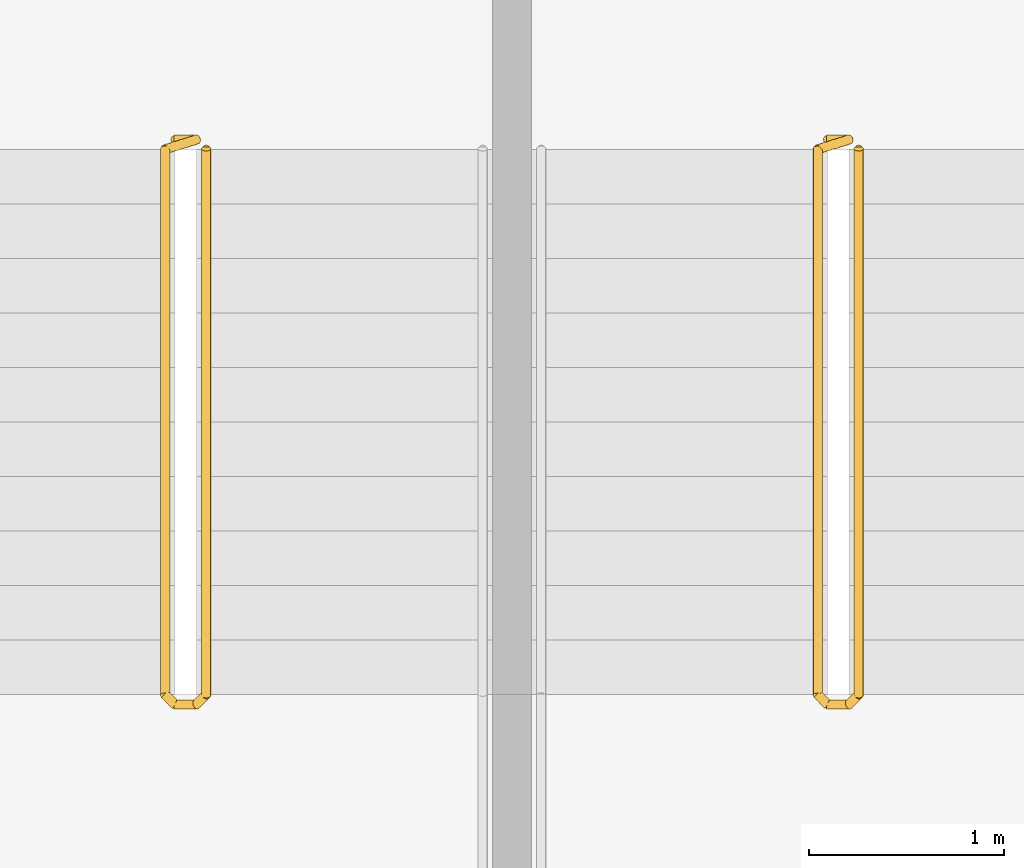
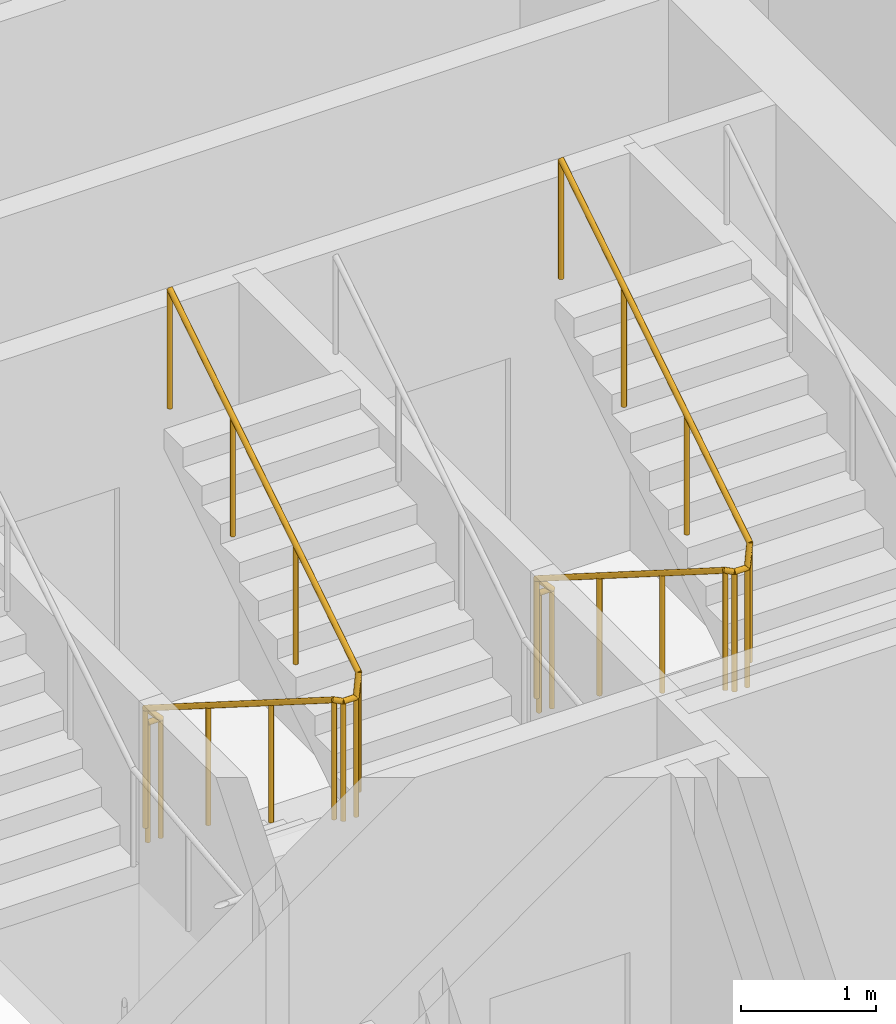
# One storey, part 14 of 14: 2 railings.
"""IFC4 building model written with IfcOpenShell, lengths in metres."""

from ifc_helpers import new_model, si_unit, direction, frame, origin, origin_2d, place, context, subcontext, project, spatial, circle, extrude, material, type_object, element, save


model = new_model("IFC4")

# Units and contexts
model_context = context("Model", 3, precision=1e-05, world=origin(), true_north=direction((0.0, 1.0)))
body_context = subcontext(model_context, "Body", "Model", "MODEL_VIEW")
ifc_project = project(units=[si_unit("LENGTHUNIT", "METRE"), si_unit("AREAUNIT", "SQUARE_METRE"), si_unit("VOLUMEUNIT", "CUBIC_METRE"), si_unit("PLANEANGLEUNIT", "RADIAN"), si_unit("MASSUNIT", "GRAM", prefix="KILO")], contexts=[model_context])

# Site, building, storey
site_placement = place(None, origin())
site = spatial("IfcSite", under=ifc_project, at=site_placement, CompositionType="ELEMENT")
building_placement = place(site_placement, origin())
building = spatial("IfcBuilding", under=site, at=building_placement, Name="Tessera Arch", CompositionType="ELEMENT")
storey_placement = place(building_placement, frame((0.0, 0.0, 146.60009765625)))
storey = spatial("IfcBuildingStorey", under=building, at=storey_placement, Name="L34", CompositionType="ELEMENT", Elevation=146.60009765625)

# Railings
ifc_material = material(Name="Painted steel balustrade", Category="steel")
railing_type = type_object("IfcRailingType", Name="Stair guard 1100", PredefinedType="GUARDRAIL", material=ifc_material)
railing_1_placement = place(storey_placement, frame((41.570068359375, 43.6298828125, 0.0)))
element("IfcRailing", 1, at=railing_1_placement, inside=storey, type_object=railing_type, Name="L34 S1b stair guard 1", PredefinedType="GUARDRAIL", context=body_context, shape_type="SweptSolid", body=[
    extrude(circle(Radius=0.02392578125, at=origin_2d()), frame((-0.00390625, 0.0, 1.076171875), z_axis=(1.0, 0.0, 0.0), x_axis=(0.0, 1.0, 0.0)), (0.0, 0.0, 1.0), 0.117919921875),
    extrude(circle(Radius=0.02392578125, at=origin_2d()), frame((0.112548828125, 0.000732421875, 1.0732421875), z_axis=(-0.65574896516, -0.204233265485, 0.726830150696), x_axis=(0.297361876254, -0.954764847777, 0.0)), (0.0, 0.0, 1.0), 0.251953125),
    extrude(circle(Radius=0.02392578125, at=origin_2d()), frame((-0.050048828125, -0.04638671875, 1.251220703125), z_axis=(0.0, -0.844908973607, 0.534910110503), x_axis=(1.0, 0.0, 0.0)), (0.0, 0.0, 1.0), 3.322021484375),
    extrude(circle(Radius=0.02392578125, at=origin_2d()), frame((-0.052978515625, -2.846923828125, 3.02587890625), z_axis=(0.707106781187, -0.707106781187, 0.0), x_axis=(0.707106781187, 0.707106781187, 0.0)), (0.0, 0.0, 1.0), 0.078857421875),
    extrude(circle(Radius=0.02392578125, at=origin_2d()), frame((-0.00390625, -2.89990234375, 3.02587890625), z_axis=(1.0, 0.0, 0.0), x_axis=(0.0, 1.0, 0.0)), (0.0, 0.0, 1.0), 0.117919921875),
    extrude(circle(Radius=0.02392578125, at=origin_2d()), frame((0.10888671875, -2.90087890625, 3.022216796875), z_axis=(0.262233686654, 0.262233686654, 0.928691007369), x_axis=(-0.707106781187, 0.707106781187, 0.0)), (0.0, 0.0, 1.0), 0.198974609375),
    extrude(circle(Radius=0.02392578125, at=origin_2d()), frame((0.159912109375, -2.853271484375, 3.201171875), z_axis=(0.0, 0.844908973607, 0.534910110503), x_axis=(-1.0, 0.0, 0.0)), (0.0, 0.0, 1.0), 3.322021484375),
    extrude(circle(Radius=0.02099609375, at=origin_2d()), origin(), (0.0, 0.0, 1.0), 1.06396484375),
    extrude(circle(Radius=0.02099609375, at=origin_2d()), frame((0.10986328125, 0.0, 0.0)), (0.0, 0.0, 1.0), 1.06396484375),
    extrude(circle(Radius=0.02099609375, at=origin_2d()), frame((-0.050048828125, -0.0498046875, 0.17724609375)), (0.0, 0.0, 1.0), 1.06396484375),
    extrude(circle(Radius=0.02099609375, at=origin_2d()), frame((-0.050048828125, -0.983154296875, 0.76806640625)), (0.0, 0.0, 1.0), 1.06396484375),
    extrude(circle(Radius=0.02099609375, at=origin_2d()), frame((-0.050048828125, -1.91650390625, 1.359130859375)), (0.0, 0.0, 1.0), 1.06396484375),
    extrude(circle(Radius=0.02099609375, at=origin_2d()), frame((-0.050048828125, -2.849853515625, 1.949951171875)), (0.0, 0.0, 1.0), 1.06396484375),
    extrude(circle(Radius=0.02099609375, at=origin_2d()), frame((0.0, -2.89990234375, 1.949951171875)), (0.0, 0.0, 1.0), 1.06396484375),
    extrude(circle(Radius=0.02099609375, at=origin_2d()), frame((0.10986328125, -2.89990234375, 1.949951171875)), (0.0, 0.0, 1.0), 1.06396484375),
    extrude(circle(Radius=0.02099609375, at=origin_2d()), frame((0.159912109375, -2.849853515625, 2.127197265625)), (0.0, 0.0, 1.0), 1.06396484375),
    extrude(circle(Radius=0.02099609375, at=origin_2d()), frame((0.159912109375, -1.91650390625, 2.718017578125)), (0.0, 0.0, 1.0), 1.06396484375),
    extrude(circle(Radius=0.02099609375, at=origin_2d()), frame((0.159912109375, -0.983154296875, 3.30908203125)), (0.0, 0.0, 1.0), 1.06396484375),
    extrude(circle(Radius=0.02099609375, at=origin_2d()), frame((0.159912109375, -0.0498046875, 3.89990234375)), (0.0, 0.0, 1.0), 1.06396484375),
])
railing_2_placement = place(storey_placement, frame((44.919921875, 43.6298828125, 0.0)))
element("IfcRailing", 2, at=railing_2_placement, inside=storey, type_object=railing_type, Name="L34 S1c stair guard 1", PredefinedType="GUARDRAIL", context=body_context, shape_type="SweptSolid", body=[
    extrude(circle(Radius=0.02392578125, at=origin_2d()), frame((-0.00390625, 0.0, 1.076171875), z_axis=(1.0, 0.0, 0.0), x_axis=(0.0, 1.0, 0.0)), (0.0, 0.0, 1.0), 0.1181640625),
    extrude(circle(Radius=0.02392578125, at=origin_2d()), frame((0.11279296875, 0.000732421875, 1.0732421875), z_axis=(-0.65574896516, -0.204233265485, 0.726830150696), x_axis=(0.297361876254, -0.954764847777, 0.0)), (0.0, 0.0, 1.0), 0.251953125),
    extrude(circle(Radius=0.02392578125, at=origin_2d()), frame((-0.0498046875, -0.04638671875, 1.251220703125), z_axis=(0.0, -0.844908973607, 0.534910110503), x_axis=(1.0, 0.0, 0.0)), (0.0, 0.0, 1.0), 3.322021484375),
    extrude(circle(Radius=0.02392578125, at=origin_2d()), frame((-0.052734375, -2.846923828125, 3.02587890625), z_axis=(0.705375805398, -0.708833529934, 0.0), x_axis=(0.708833529934, 0.705375805398, 0.0)), (0.0, 0.0, 1.0), 0.07861328125),
    extrude(circle(Radius=0.02392578125, at=origin_2d()), frame((-0.00390625, -2.89990234375, 3.02587890625), z_axis=(1.0, 0.0, 0.0), x_axis=(0.0, 1.0, 0.0)), (0.0, 0.0, 1.0), 0.1181640625),
    extrude(circle(Radius=0.02392578125, at=origin_2d()), frame((0.109130859375, -2.90087890625, 3.022216796875), z_axis=(0.262233686654, 0.262233686654, 0.928691007369), x_axis=(-0.707106781187, 0.707106781187, 0.0)), (0.0, 0.0, 1.0), 0.198974609375),
    extrude(circle(Radius=0.02392578125, at=origin_2d()), frame((0.16015625, -2.853271484375, 3.201171875), z_axis=(0.0, 0.844908973607, 0.534910110503), x_axis=(-1.0, 0.0, 0.0)), (0.0, 0.0, 1.0), 3.322021484375),
    extrude(circle(Radius=0.02099609375, at=origin_2d()), origin(), (0.0, 0.0, 1.0), 1.06396484375),
    extrude(circle(Radius=0.02099609375, at=origin_2d()), frame((0.110107421875, 0.0, 0.0)), (0.0, 0.0, 1.0), 1.06396484375),
    extrude(circle(Radius=0.02099609375, at=origin_2d()), frame((-0.0498046875, -0.0498046875, 0.17724609375)), (0.0, 0.0, 1.0), 1.06396484375),
    extrude(circle(Radius=0.02099609375, at=origin_2d()), frame((-0.0498046875, -0.983154296875, 0.76806640625)), (0.0, 0.0, 1.0), 1.06396484375),
    extrude(circle(Radius=0.02099609375, at=origin_2d()), frame((-0.0498046875, -1.91650390625, 1.359130859375)), (0.0, 0.0, 1.0), 1.06396484375),
    extrude(circle(Radius=0.02099609375, at=origin_2d()), frame((-0.0498046875, -2.849853515625, 1.949951171875)), (0.0, 0.0, 1.0), 1.06396484375),
    extrude(circle(Radius=0.02099609375, at=origin_2d()), frame((0.0, -2.89990234375, 1.949951171875)), (0.0, 0.0, 1.0), 1.06396484375),
    extrude(circle(Radius=0.02099609375, at=origin_2d()), frame((0.110107421875, -2.89990234375, 1.949951171875)), (0.0, 0.0, 1.0), 1.06396484375),
    extrude(circle(Radius=0.02099609375, at=origin_2d()), frame((0.16015625, -2.849853515625, 2.127197265625)), (0.0, 0.0, 1.0), 1.06396484375),
    extrude(circle(Radius=0.02099609375, at=origin_2d()), frame((0.16015625, -1.91650390625, 2.718017578125)), (0.0, 0.0, 1.0), 1.06396484375),
    extrude(circle(Radius=0.02099609375, at=origin_2d()), frame((0.16015625, -0.983154296875, 3.30908203125)), (0.0, 0.0, 1.0), 1.06396484375),
    extrude(circle(Radius=0.02099609375, at=origin_2d()), frame((0.16015625, -0.0498046875, 3.89990234375)), (0.0, 0.0, 1.0), 1.06396484375),
])

save(model, "model.ifc")
